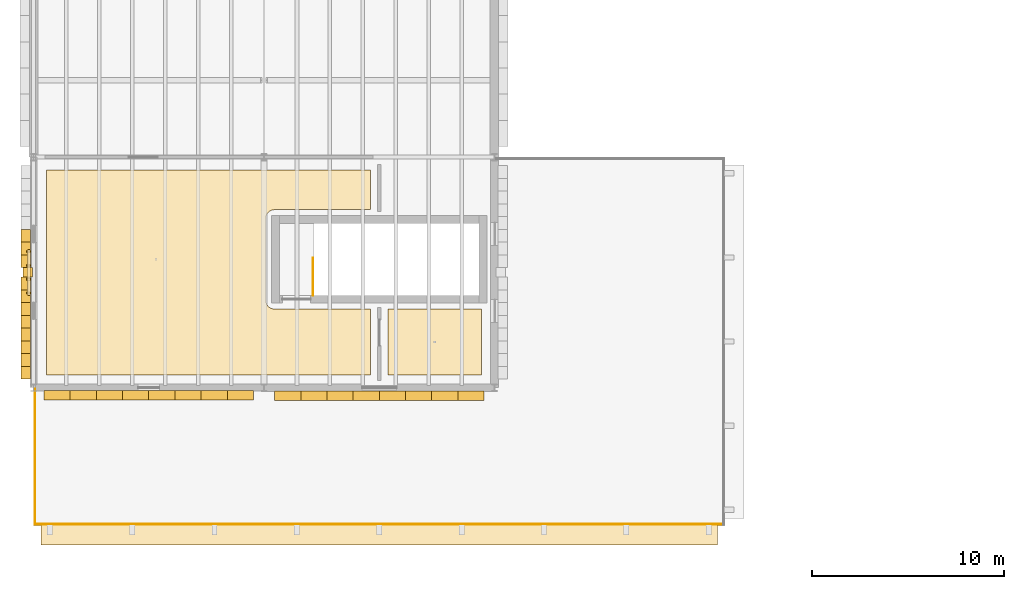
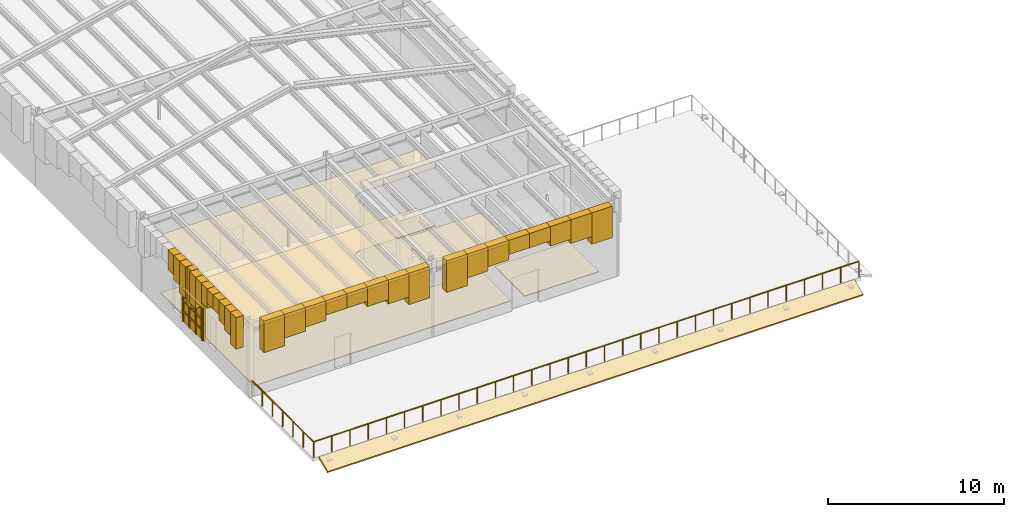
# One storey, part 72 of 100: 39 coverings, 3 railings, 1 shading device.
"""IFC4 building model written with IfcOpenShell, lengths in metres."""

from ifc_helpers import new_model, si_unit, direction, frame, origin, origin_2d, place, context, subcontext, project, spatial, polyline, rectangle, circle, outline, extrude, material, layer, layer_set, type_object, element, save


model = new_model("IFC4")

# Units and contexts
model_context = context("Model", 3, precision=1e-05, world=origin(), true_north=direction((0.0, 1.0)))
body_context = subcontext(model_context, "Body", "Model", "MODEL_VIEW")
ifc_project = project(units=[si_unit("LENGTHUNIT", "METRE"), si_unit("AREAUNIT", "SQUARE_METRE"), si_unit("VOLUMEUNIT", "CUBIC_METRE"), si_unit("PLANEANGLEUNIT", "RADIAN"), si_unit("MASSUNIT", "GRAM", prefix="KILO")], contexts=[model_context])

# Site, building, storey
site_placement = place(None, origin())
site = spatial("IfcSite", under=ifc_project, at=site_placement, CompositionType="ELEMENT")
building_placement = place(site_placement, origin())
building = spatial("IfcBuilding", under=site, at=building_placement, Name="Zlatogorsky Bluff Art Gallery", CompositionType="ELEMENT")
storey_placement = place(building_placement, frame((0.0, 0.0, 5.39990234375)))
storey = spatial("IfcBuildingStorey", under=building, at=storey_placement, Name="L01", CompositionType="ELEMENT", Elevation=5.39990234375)

# Coverings
ifc_material_1 = material(Name="Perforated Gypsum Acoustic Board", Category="gypsum")
ifc_layer_1 = layer(ifc_material_1, 0.0400390625)
ifc_layer_set_1 = layer_set([ifc_layer_1], Name="Acoustic Gallery Ceiling CLG-01")
covering_type_1 = type_object("IfcCoveringType", Name="Acoustic Gallery Ceiling CLG-01", PredefinedType="CEILING", material=ifc_layer_set_1)
covering_1_placement = place(storey_placement, frame((0.0, 0.0, 4.050048828125)))
element("IfcCovering", 1, at=covering_1_placement, inside=storey, type_object=covering_type_1, Name="Sculpture Terrace Gallery acoustic ceiling", PredefinedType="CEILING", context=body_context, shape_type="SweptSolid", body=[
    extrude(outline(polyline([(17.550048828125, 23.659912109375), (12.549072265625, 23.659912109375), (12.504638671875, 23.65771484375), (12.460693359375, 23.6513671875), (12.459716796875, 23.651123046875), (12.450439453125, 23.649169921875), (12.449462890625, 23.64892578125), (12.40625, 23.636962890625), (12.3642578125, 23.620849609375), (12.362548828125, 23.6201171875), (12.326904296875, 23.602294921875), (12.325927734375, 23.601806640625), (12.293701171875, 23.58203125), (12.26318359375, 23.559814453125), (12.26171875, 23.55859375), (12.224609375, 23.525390625), (12.19140625, 23.48828125), (12.190185546875, 23.48681640625), (12.16796875, 23.456298828125), (12.148193359375, 23.424072265625), (12.147705078125, 23.423095703125), (12.1298828125, 23.387451171875), (12.129150390625, 23.3857421875), (12.113037109375, 23.34375), (12.10107421875, 23.300537109375), (12.100830078125, 23.299560546875), (12.098876953125, 23.290283203125), (12.0986328125, 23.289306640625), (12.09228515625, 23.245361328125), (12.090087890625, 23.200927734375), (12.090087890625, 18.948974609375), (12.09228515625, 18.90478515625), (12.0986328125, 18.860595703125), (12.098876953125, 18.859619140625), (12.100830078125, 18.850341796875), (12.10107421875, 18.849609375), (12.113037109375, 18.80615234375), (12.129150390625, 18.764404296875), (12.1298828125, 18.762451171875), (12.147705078125, 18.726806640625), (12.148193359375, 18.725830078125), (12.16796875, 18.693603515625), (12.190185546875, 18.663330078125), (12.19140625, 18.661865234375), (12.224609375, 18.624755859375), (12.26171875, 18.591552734375), (12.26318359375, 18.59033203125), (12.293701171875, 18.568115234375), (12.325927734375, 18.54833984375), (12.326904296875, 18.5478515625), (12.362548828125, 18.530029296875), (12.3642578125, 18.529296875), (12.40625, 18.512939453125), (12.449462890625, 18.501220703125), (12.450439453125, 18.5009765625), (12.459716796875, 18.498779296875), (12.460693359375, 18.498779296875), (12.504638671875, 18.4921875), (12.549072265625, 18.489990234375), (17.550048828125, 18.489990234375), (17.550048828125, 15.070068359375), (0.669921875, 15.070068359375), (0.669921875, 25.72998046875), (17.550048828125, 25.72998046875), (17.550048828125, 23.659912109375)])), origin(), (0.0, 0.0, 1.0), 0.0400390625),
])
ifc_material_2 = material(Name="Honed Red Agra-Tone Quartzitic Sandstone", Category="masonry")
ifc_layer_2 = layer(ifc_material_2, 0.1201171875)
ifc_layer_set_2 = layer_set([ifc_layer_2], Name="Carved Sandstone Cladding CLD-02")
covering_type_2 = type_object("IfcCoveringType", Name="Carved Sandstone Cladding CLD-02", PredefinedType="CLADDING", material=ifc_layer_set_2)
covering_2_placement = place(storey_placement, frame((0.0, 0.0, 3.172607421875)))
element("IfcCovering", 2, at=covering_2_placement, inside=storey, type_object=covering_type_2, Name="Pointed Mughal arch voussoir spandrel WARCH-L01-S-00-02-A.1", PredefinedType="CLADDING", context=body_context, shape_type="SweptSolid", body=[
    extrude(outline(polyline([(0.550048828125, 13.760009765625), (1.91259765625, 13.760009765625), (1.91259765625, 14.25), (0.550048828125, 14.25), (0.550048828125, 13.760009765625)])), origin(), (0.0, 0.0, 1.0), 2.1875),
])
covering_3_placement = place(storey_placement, frame((0.0, 0.0, 3.703857421875)))
element("IfcCovering", 3, at=covering_3_placement, inside=storey, type_object=covering_type_2, Name="Pointed Mughal arch voussoir spandrel WARCH-L01-S-00-02-A.2", PredefinedType="CLADDING", context=body_context, shape_type="SweptSolid", body=[
    extrude(outline(polyline([(1.91259765625, 13.760009765625), (3.27490234375, 13.760009765625), (3.27490234375, 14.25), (1.91259765625, 14.25), (1.91259765625, 13.760009765625)])), origin(), (0.0, 0.0, 1.0), 1.65625),
])
covering_4_placement = place(storey_placement, frame((0.0, 0.0, 3.996826171875)))
element("IfcCovering", 4, at=covering_4_placement, inside=storey, type_object=covering_type_2, Name="Pointed Mughal arch voussoir spandrel WARCH-L01-S-00-02-A.3", PredefinedType="CLADDING", context=body_context, shape_type="SweptSolid", body=[
    extrude(outline(polyline([(3.27490234375, 13.760009765625), (4.637451171875, 13.760009765625), (4.637451171875, 14.25), (3.27490234375, 14.25), (3.27490234375, 13.760009765625)])), origin(), (0.0, 0.0, 1.0), 1.36328125),
])
covering_5_placement = place(storey_placement, frame((0.0, 0.0, 4.365478515625)))
element("IfcCovering", 5, at=covering_5_placement, inside=storey, type_object=covering_type_2, Name="Pointed Mughal arch voussoir spandrel WARCH-L01-S-00-02-A.4", PredefinedType="CLADDING", context=body_context, shape_type="SweptSolid", body=[
    extrude(outline(polyline([(4.637451171875, 13.760009765625), (6.0, 13.760009765625), (6.0, 14.25), (4.637451171875, 14.25), (4.637451171875, 13.760009765625)])), origin(), (0.0, 0.0, 1.0), 0.99462890625),
])
covering_6_placement = place(storey_placement, frame((0.0, 0.0, 4.365478515625)))
element("IfcCovering", 6, at=covering_6_placement, inside=storey, type_object=covering_type_2, Name="Pointed Mughal arch voussoir spandrel WARCH-L01-S-00-02-A.5", PredefinedType="CLADDING", context=body_context, shape_type="SweptSolid", body=[
    extrude(outline(polyline([(6.0, 13.760009765625), (7.362548828125, 13.760009765625), (7.362548828125, 14.25), (6.0, 14.25), (6.0, 13.760009765625)])), origin(), (0.0, 0.0, 1.0), 0.99462890625),
])
covering_7_placement = place(storey_placement, frame((0.0, 0.0, 3.996826171875)))
element("IfcCovering", 7, at=covering_7_placement, inside=storey, type_object=covering_type_2, Name="Pointed Mughal arch voussoir spandrel WARCH-L01-S-00-02-A.6", PredefinedType="CLADDING", context=body_context, shape_type="SweptSolid", body=[
    extrude(outline(polyline([(7.362548828125, 13.760009765625), (8.72509765625, 13.760009765625), (8.72509765625, 14.25), (7.362548828125, 14.25), (7.362548828125, 13.760009765625)])), origin(), (0.0, 0.0, 1.0), 1.36328125),
])
covering_8_placement = place(storey_placement, frame((0.0, 0.0, 3.703857421875)))
element("IfcCovering", 8, at=covering_8_placement, inside=storey, type_object=covering_type_2, Name="Pointed Mughal arch voussoir spandrel WARCH-L01-S-00-02-A.7", PredefinedType="CLADDING", context=body_context, shape_type="SweptSolid", body=[
    extrude(outline(polyline([(8.72509765625, 13.760009765625), (10.08740234375, 13.760009765625), (10.08740234375, 14.25), (8.72509765625, 14.25), (8.72509765625, 13.760009765625)])), origin(), (0.0, 0.0, 1.0), 1.65625),
])
covering_9_placement = place(storey_placement, frame((0.0, 0.0, 3.172607421875)))
element("IfcCovering", 9, at=covering_9_placement, inside=storey, type_object=covering_type_2, Name="Pointed Mughal arch voussoir spandrel WARCH-L01-S-00-02-A.8", PredefinedType="CLADDING", context=body_context, shape_type="SweptSolid", body=[
    extrude(outline(polyline([(10.08740234375, 13.760009765625), (11.449951171875, 13.760009765625), (11.449951171875, 14.25), (10.08740234375, 14.25), (10.08740234375, 13.760009765625)])), origin(), (0.0, 0.0, 1.0), 2.1875),
])
covering_10_placement = place(storey_placement, frame((0.0, 0.0, 2.72998046875)))
element("IfcCovering", 10, at=covering_10_placement, inside=storey, type_object=covering_type_2, Name="Mughal blind-arch sandstone pilaster L01.W.0.2", PredefinedType="CLADDING", context=body_context, shape_type="SweptSolid", body=[
    extrude(outline(polyline([(-0.5400390625, 20.159912109375), (-0.06005859375, 20.159912109375), (-0.06005859375, 20.639892578125), (-0.5400390625, 20.639892578125), (-0.5400390625, 20.159912109375)])), origin(), (0.0, 0.0, 1.0), 2.630126953125),
])
covering_11_placement = place(storey_placement, frame((0.0, 0.0, 3.172607421875)))
element("IfcCovering", 11, at=covering_11_placement, inside=storey, type_object=covering_type_2, Name="Pointed Mughal arch voussoir spandrel WARCH-L01-W-00-02-A.1", PredefinedType="CLADDING", context=body_context, shape_type="SweptSolid", body=[
    extrude(outline(polyline([(-0.639892578125, 14.85009765625), (-0.639892578125, 15.512451171875), (-0.14990234375, 15.512451171875), (-0.14990234375, 14.85009765625), (-0.639892578125, 14.85009765625)])), origin(), (0.0, 0.0, 1.0), 2.1875),
])
covering_12_placement = place(storey_placement, frame((0.0, 0.0, 3.703857421875)))
element("IfcCovering", 12, at=covering_12_placement, inside=storey, type_object=covering_type_2, Name="Pointed Mughal arch voussoir spandrel WARCH-L01-W-00-02-A.2", PredefinedType="CLADDING", context=body_context, shape_type="SweptSolid", body=[
    extrude(outline(polyline([(-0.639892578125, 15.512451171875), (-0.639892578125, 16.175048828125), (-0.14990234375, 16.175048828125), (-0.14990234375, 15.512451171875), (-0.639892578125, 15.512451171875)])), origin(), (0.0, 0.0, 1.0), 1.65625),
])
covering_13_placement = place(storey_placement, frame((0.0, 0.0, 3.996826171875)))
element("IfcCovering", 13, at=covering_13_placement, inside=storey, type_object=covering_type_2, Name="Pointed Mughal arch voussoir spandrel WARCH-L01-W-00-02-A.3", PredefinedType="CLADDING", context=body_context, shape_type="SweptSolid", body=[
    extrude(outline(polyline([(-0.639892578125, 16.175048828125), (-0.639892578125, 16.83740234375), (-0.14990234375, 16.83740234375), (-0.14990234375, 16.175048828125), (-0.639892578125, 16.175048828125)])), origin(), (0.0, 0.0, 1.0), 1.36328125),
])
covering_14_placement = place(storey_placement, frame((0.0, 0.0, 4.365478515625)))
element("IfcCovering", 14, at=covering_14_placement, inside=storey, type_object=covering_type_2, Name="Pointed Mughal arch voussoir spandrel WARCH-L01-W-00-02-A.4", PredefinedType="CLADDING", context=body_context, shape_type="SweptSolid", body=[
    extrude(outline(polyline([(-0.639892578125, 16.83740234375), (-0.639892578125, 17.5), (-0.14990234375, 17.5), (-0.14990234375, 16.83740234375), (-0.639892578125, 16.83740234375)])), origin(), (0.0, 0.0, 1.0), 0.99462890625),
])
covering_15_placement = place(storey_placement, frame((0.0, 0.0, 4.365478515625)))
element("IfcCovering", 15, at=covering_15_placement, inside=storey, type_object=covering_type_2, Name="Pointed Mughal arch voussoir spandrel WARCH-L01-W-00-02-A.5", PredefinedType="CLADDING", context=body_context, shape_type="SweptSolid", body=[
    extrude(outline(polyline([(-0.639892578125, 17.5), (-0.639892578125, 18.16259765625), (-0.14990234375, 18.16259765625), (-0.14990234375, 17.5), (-0.639892578125, 17.5)])), origin(), (0.0, 0.0, 1.0), 0.99462890625),
])
covering_16_placement = place(storey_placement, frame((0.0, 0.0, 3.996826171875)))
element("IfcCovering", 16, at=covering_16_placement, inside=storey, type_object=covering_type_2, Name="Pointed Mughal arch voussoir spandrel WARCH-L01-W-00-02-A.6", PredefinedType="CLADDING", context=body_context, shape_type="SweptSolid", body=[
    extrude(outline(polyline([(-0.639892578125, 18.16259765625), (-0.639892578125, 18.824951171875), (-0.14990234375, 18.824951171875), (-0.14990234375, 18.16259765625), (-0.639892578125, 18.16259765625)])), origin(), (0.0, 0.0, 1.0), 1.36328125),
])
covering_17_placement = place(storey_placement, frame((0.0, 0.0, 3.703857421875)))
element("IfcCovering", 17, at=covering_17_placement, inside=storey, type_object=covering_type_2, Name="Pointed Mughal arch voussoir spandrel WARCH-L01-W-00-02-A.7", PredefinedType="CLADDING", context=body_context, shape_type="SweptSolid", body=[
    extrude(outline(polyline([(-0.639892578125, 18.824951171875), (-0.639892578125, 19.487548828125), (-0.14990234375, 19.487548828125), (-0.14990234375, 18.824951171875), (-0.639892578125, 18.824951171875)])), origin(), (0.0, 0.0, 1.0), 1.65625),
])
covering_18_placement = place(storey_placement, frame((0.0, 0.0, 3.172607421875)))
element("IfcCovering", 18, at=covering_18_placement, inside=storey, type_object=covering_type_2, Name="Pointed Mughal arch voussoir spandrel WARCH-L01-W-00-02-A.8", PredefinedType="CLADDING", context=body_context, shape_type="SweptSolid", body=[
    extrude(outline(polyline([(-0.639892578125, 19.487548828125), (-0.639892578125, 20.14990234375), (-0.14990234375, 20.14990234375), (-0.14990234375, 19.487548828125), (-0.639892578125, 19.487548828125)])), origin(), (0.0, 0.0, 1.0), 2.1875),
])
covering_19_placement = place(storey_placement, frame((0.0, 0.0, 3.172607421875)))
element("IfcCovering", 19, at=covering_19_placement, inside=storey, type_object=covering_type_2, Name="Pointed Mughal arch voussoir spandrel WARCH-L01-W-00-02-B.1", PredefinedType="CLADDING", context=body_context, shape_type="SweptSolid", body=[
    extrude(outline(polyline([(-0.639892578125, 20.64990234375), (-0.639892578125, 21.3125), (-0.14990234375, 21.3125), (-0.14990234375, 20.64990234375), (-0.639892578125, 20.64990234375)])), origin(), (0.0, 0.0, 1.0), 2.1875),
])
covering_20_placement = place(storey_placement, frame((0.0, 0.0, 3.703857421875)))
element("IfcCovering", 20, at=covering_20_placement, inside=storey, type_object=covering_type_2, Name="Pointed Mughal arch voussoir spandrel WARCH-L01-W-00-02-B.2", PredefinedType="CLADDING", context=body_context, shape_type="SweptSolid", body=[
    extrude(outline(polyline([(-0.639892578125, 21.3125), (-0.639892578125, 21.97509765625), (-0.14990234375, 21.97509765625), (-0.14990234375, 21.3125), (-0.639892578125, 21.3125)])), origin(), (0.0, 0.0, 1.0), 1.65625),
])
covering_21_placement = place(storey_placement, frame((0.0, 0.0, 3.996826171875)))
element("IfcCovering", 21, at=covering_21_placement, inside=storey, type_object=covering_type_2, Name="Pointed Mughal arch voussoir spandrel WARCH-L01-W-00-02-B.3", PredefinedType="CLADDING", context=body_context, shape_type="SweptSolid", body=[
    extrude(outline(polyline([(-0.639892578125, 21.97509765625), (-0.639892578125, 22.637451171875), (-0.14990234375, 22.637451171875), (-0.14990234375, 21.97509765625), (-0.639892578125, 21.97509765625)])), origin(), (0.0, 0.0, 1.0), 1.36328125),
])
covering_22_placement = place(storey_placement, frame((0.0, 0.0, 0.9501953125)))
element("IfcCovering", 22, at=covering_22_placement, inside=storey, type_object=covering_type_2, Name="Pierced sandstone jali lattice bar L01.W.0.2", PredefinedType="CLADDING", context=body_context, shape_type="SweptSolid", body=[
    extrude(outline(polyline([(-0.340087890625, 19.27490234375), (-0.340087890625, 19.364990234375), (-0.14990234375, 19.364990234375), (-0.14990234375, 19.27490234375), (-0.340087890625, 19.27490234375)])), origin(), (0.0, 0.0, 1.0), 3.0),
])
covering_23_placement = place(storey_placement, frame((0.0, 0.0, 0.9501953125)))
element("IfcCovering", 23, at=covering_23_placement, inside=storey, type_object=covering_type_2, Name="Pierced sandstone jali lattice bar L01.W.0.2", PredefinedType="CLADDING", context=body_context, shape_type="SweptSolid", body=[
    extrude(outline(polyline([(-0.340087890625, 19.9951171875), (-0.340087890625, 20.0849609375), (-0.14990234375, 20.0849609375), (-0.14990234375, 19.9951171875), (-0.340087890625, 19.9951171875)])), origin(), (0.0, 0.0, 1.0), 3.0),
])
covering_24_placement = place(storey_placement, frame((0.0, 0.0, 0.9501953125)))
element("IfcCovering", 24, at=covering_24_placement, inside=storey, type_object=covering_type_2, Name="Pierced sandstone jali lattice bar L01.W.0.2", PredefinedType="CLADDING", context=body_context, shape_type="SweptSolid", body=[
    extrude(outline(polyline([(-0.340087890625, 20.715087890625), (-0.340087890625, 20.804931640625), (-0.14990234375, 20.804931640625), (-0.14990234375, 20.715087890625), (-0.340087890625, 20.715087890625)])), origin(), (0.0, 0.0, 1.0), 3.0),
])
covering_25_placement = place(storey_placement, frame((0.0, 0.0, 0.9501953125)))
element("IfcCovering", 25, at=covering_25_placement, inside=storey, type_object=covering_type_2, Name="Pierced sandstone jali lattice bar L01.W.0.2", PredefinedType="CLADDING", context=body_context, shape_type="SweptSolid", body=[
    extrude(outline(polyline([(-0.340087890625, 21.43505859375), (-0.340087890625, 21.52490234375), (-0.14990234375, 21.52490234375), (-0.14990234375, 21.43505859375), (-0.340087890625, 21.43505859375)])), origin(), (0.0, 0.0, 1.0), 3.0),
])
for number, where, name in (
    (26, (0.0, 0.0, 1.66015625), "Pierced sandstone jali lattice transom L01.W.0.2"),
    (27, (0.0, 0.0, 2.41015625), "Pierced sandstone jali lattice transom L01.W.0.2"),
    (28, (0.0, 0.0, 3.16015625), "Pierced sandstone jali lattice transom L01.W.0.2"),
):
    element("IfcCovering", number, at=place(storey_placement, frame(where)), inside=storey, type_object=covering_type_2, Name=name, PredefinedType="CLADDING", context=body_context, shape_type="SweptSolid", body=[
        extrude(outline(polyline([(-0.340087890625, 19.199951171875), (-0.340087890625, 21.60009765625), (-0.14990234375, 21.60009765625), (-0.14990234375, 19.199951171875), (-0.340087890625, 19.199951171875)])), origin(), (0.0, 0.0, 1.0), 0.079833984375),
    ])
covering_26_placement = place(storey_placement, frame((0.0, 0.0, 3.172607421875)))
element("IfcCovering", 29, at=covering_26_placement, inside=storey, type_object=covering_type_2, Name="Pointed Mughal arch voussoir spandrel WARCH-L01-S-01-02-A.1", PredefinedType="CLADDING", context=body_context, shape_type="SweptSolid", body=[
    extrude(outline(polyline([(12.550048828125, 13.739990234375), (13.91259765625, 13.739990234375), (13.91259765625, 14.22998046875), (12.550048828125, 14.22998046875), (12.550048828125, 13.739990234375)])), origin(), (0.0, 0.0, 1.0), 2.1875),
])
covering_27_placement = place(storey_placement, frame((0.0, 0.0, 3.703857421875)))
element("IfcCovering", 30, at=covering_27_placement, inside=storey, type_object=covering_type_2, Name="Pointed Mughal arch voussoir spandrel WARCH-L01-S-01-02-A.2", PredefinedType="CLADDING", context=body_context, shape_type="SweptSolid", body=[
    extrude(outline(polyline([(13.91259765625, 13.739990234375), (15.27490234375, 13.739990234375), (15.27490234375, 14.22998046875), (13.91259765625, 14.22998046875), (13.91259765625, 13.739990234375)])), origin(), (0.0, 0.0, 1.0), 1.65625),
])
covering_28_placement = place(storey_placement, frame((0.0, 0.0, 3.996826171875)))
element("IfcCovering", 31, at=covering_28_placement, inside=storey, type_object=covering_type_2, Name="Pointed Mughal arch voussoir spandrel WARCH-L01-S-01-02-A.3", PredefinedType="CLADDING", context=body_context, shape_type="SweptSolid", body=[
    extrude(outline(polyline([(15.27490234375, 13.739990234375), (16.637451171875, 13.739990234375), (16.637451171875, 14.22998046875), (15.27490234375, 14.22998046875), (15.27490234375, 13.739990234375)])), origin(), (0.0, 0.0, 1.0), 1.36328125),
])
covering_29_placement = place(storey_placement, frame((0.0, 0.0, 4.365478515625)))
element("IfcCovering", 32, at=covering_29_placement, inside=storey, type_object=covering_type_2, Name="Pointed Mughal arch voussoir spandrel WARCH-L01-S-01-02-A.4", PredefinedType="CLADDING", context=body_context, shape_type="SweptSolid", body=[
    extrude(outline(polyline([(16.637451171875, 13.739990234375), (18.0, 13.739990234375), (18.0, 14.22998046875), (16.637451171875, 14.22998046875), (16.637451171875, 13.739990234375)])), origin(), (0.0, 0.0, 1.0), 0.99462890625),
])
covering_30_placement = place(storey_placement, frame((0.0, 0.0, 4.365478515625)))
element("IfcCovering", 33, at=covering_30_placement, inside=storey, type_object=covering_type_2, Name="Pointed Mughal arch voussoir spandrel WARCH-L01-S-01-02-A.5", PredefinedType="CLADDING", context=body_context, shape_type="SweptSolid", body=[
    extrude(outline(polyline([(18.0, 13.739990234375), (19.362548828125, 13.739990234375), (19.362548828125, 14.22998046875), (18.0, 14.22998046875), (18.0, 13.739990234375)])), origin(), (0.0, 0.0, 1.0), 0.99462890625),
])
covering_31_placement = place(storey_placement, frame((0.0, 0.0, 3.996826171875)))
element("IfcCovering", 34, at=covering_31_placement, inside=storey, type_object=covering_type_2, Name="Pointed Mughal arch voussoir spandrel WARCH-L01-S-01-02-A.6", PredefinedType="CLADDING", context=body_context, shape_type="SweptSolid", body=[
    extrude(outline(polyline([(19.362548828125, 13.739990234375), (20.72509765625, 13.739990234375), (20.72509765625, 14.22998046875), (19.362548828125, 14.22998046875), (19.362548828125, 13.739990234375)])), origin(), (0.0, 0.0, 1.0), 1.36328125),
])
covering_32_placement = place(storey_placement, frame((0.0, 0.0, 3.703857421875)))
element("IfcCovering", 35, at=covering_32_placement, inside=storey, type_object=covering_type_2, Name="Pointed Mughal arch voussoir spandrel WARCH-L01-S-01-02-A.7", PredefinedType="CLADDING", context=body_context, shape_type="SweptSolid", body=[
    extrude(outline(polyline([(20.72509765625, 13.739990234375), (22.08740234375, 13.739990234375), (22.08740234375, 14.22998046875), (20.72509765625, 14.22998046875), (20.72509765625, 13.739990234375)])), origin(), (0.0, 0.0, 1.0), 1.65625),
])
covering_33_placement = place(storey_placement, frame((0.0, 0.0, 3.172607421875)))
element("IfcCovering", 36, at=covering_33_placement, inside=storey, type_object=covering_type_2, Name="Pointed Mughal arch voussoir spandrel WARCH-L01-S-01-02-A.8", PredefinedType="CLADDING", context=body_context, shape_type="SweptSolid", body=[
    extrude(outline(polyline([(22.08740234375, 13.739990234375), (23.449951171875, 13.739990234375), (23.449951171875, 14.22998046875), (22.08740234375, 14.22998046875), (22.08740234375, 13.739990234375)])), origin(), (0.0, 0.0, 1.0), 2.1875),
])
covering_34_placement = place(storey_placement, frame((35.60009765625, 7.239990234375, -0.039794921875), z_axis=(0.0, -0.380872241927, 0.924627673893), x_axis=(-1.0, 0.0, 0.0)))
element("IfcCovering", 37, at=covering_34_placement, inside=storey, type_object=covering_type_2, Name="Projecting sloped Mughal chhajja stone eave CHJ-SW-S-L01", PredefinedType="CLADDING", context=body_context, shape_type="SweptSolid", body=[
    extrude(outline(polyline([(0.0, 0.0), (35.2001953125, 0.0), (35.2001953125, 1.103167858858142), (0.0, 1.103167858858142), (0.0, 0.0)])), origin(), (0.0, 0.0, -1.0), 0.139892578125),
])

# Railings
ifc_material_3 = material(Name="Architectural Bronze and Laminated Glass", Category="glass")
railing_type = type_object("IfcRailingType", Name="Gallery Guard Rail 1100mm", PredefinedType="GUARDRAIL", material=ifc_material_3)
railing_1_placement = place(storey_placement, frame((35.919921875, 7.280029296875, 0.0)))
element("IfcRailing", 38, at=railing_1_placement, inside=storey, type_object=railing_type, Name="Sculpture terrace balustrade TERR-L01-01.4", PredefinedType="GUARDRAIL", context=body_context, shape_type="SweptSolid", body=[
    extrude(circle(Radius=0.02392578125, at=origin_2d()), frame((0.0, 0.0, 1.076171875), z_axis=(-1.0, 0.0, 0.0), x_axis=(0.0, -1.0, 0.0)), (0.0, 0.0, 1.0), 35.83984375),
    extrude(circle(Radius=0.02099609375, at=origin_2d()), origin(), (0.0, 0.0, 1.0), 1.052001953125),
    extrude(circle(Radius=0.02099609375, at=origin_2d()), frame((-1.194580078125, 0.0, 0.0)), (0.0, 0.0, 1.0), 1.052001953125),
    extrude(circle(Radius=0.02099609375, at=origin_2d()), frame((-2.389404296875, 0.0, 0.0)), (0.0, 0.0, 1.0), 1.052001953125),
    extrude(circle(Radius=0.02099609375, at=origin_2d()), frame((-3.583984375, 0.0, 0.0)), (0.0, 0.0, 1.0), 1.052001953125),
    extrude(circle(Radius=0.02099609375, at=origin_2d()), frame((-4.778564453125, 0.0, 0.0)), (0.0, 0.0, 1.0), 1.052001953125),
    extrude(circle(Radius=0.02099609375, at=origin_2d()), frame((-5.973388671875, 0.0, 0.0)), (0.0, 0.0, 1.0), 1.052001953125),
    extrude(circle(Radius=0.02099609375, at=origin_2d()), frame((-7.16796875, 0.0, 0.0)), (0.0, 0.0, 1.0), 1.052001953125),
    extrude(circle(Radius=0.02099609375, at=origin_2d()), frame((-8.362548828125, 0.0, 0.0)), (0.0, 0.0, 1.0), 1.052001953125),
    extrude(circle(Radius=0.02099609375, at=origin_2d()), frame((-9.557373046875, 0.0, 0.0)), (0.0, 0.0, 1.0), 1.052001953125),
    extrude(circle(Radius=0.02099609375, at=origin_2d()), frame((-10.751953125, 0.0, 0.0)), (0.0, 0.0, 1.0), 1.052001953125),
    extrude(circle(Radius=0.02099609375, at=origin_2d()), frame((-11.946533203125, 0.0, 0.0)), (0.0, 0.0, 1.0), 1.052001953125),
    extrude(circle(Radius=0.02099609375, at=origin_2d()), frame((-13.141357421875, 0.0, 0.0)), (0.0, 0.0, 1.0), 1.052001953125),
    extrude(circle(Radius=0.02099609375, at=origin_2d()), frame((-14.3359375, 0.0, 0.0)), (0.0, 0.0, 1.0), 1.052001953125),
    extrude(circle(Radius=0.02099609375, at=origin_2d()), frame((-15.530517578125, 0.0, 0.0)), (0.0, 0.0, 1.0), 1.052001953125),
    extrude(circle(Radius=0.02099609375, at=origin_2d()), frame((-16.725341796875, 0.0, 0.0)), (0.0, 0.0, 1.0), 1.052001953125),
    extrude(circle(Radius=0.02099609375, at=origin_2d()), frame((-17.919921875, 0.0, 0.0)), (0.0, 0.0, 1.0), 1.052001953125),
    extrude(circle(Radius=0.02099609375, at=origin_2d()), frame((-19.114501953125, 0.0, 0.0)), (0.0, 0.0, 1.0), 1.052001953125),
    extrude(circle(Radius=0.02099609375, at=origin_2d()), frame((-20.309326171875, 0.0, 0.0)), (0.0, 0.0, 1.0), 1.052001953125),
    extrude(circle(Radius=0.02099609375, at=origin_2d()), frame((-21.50390625, 0.0, 0.0)), (0.0, 0.0, 1.0), 1.052001953125),
    extrude(circle(Radius=0.02099609375, at=origin_2d()), frame((-22.698486328125, 0.0, 0.0)), (0.0, 0.0, 1.0), 1.052001953125),
    extrude(circle(Radius=0.02099609375, at=origin_2d()), frame((-23.893310546875, 0.0, 0.0)), (0.0, 0.0, 1.0), 1.052001953125),
    extrude(circle(Radius=0.02099609375, at=origin_2d()), frame((-25.087890625, 0.0, 0.0)), (0.0, 0.0, 1.0), 1.052001953125),
    extrude(circle(Radius=0.02099609375, at=origin_2d()), frame((-26.282470703125, 0.0, 0.0)), (0.0, 0.0, 1.0), 1.052001953125),
    extrude(circle(Radius=0.02099609375, at=origin_2d()), frame((-27.477294921875, 0.0, 0.0)), (0.0, 0.0, 1.0), 1.052001953125),
    extrude(circle(Radius=0.02099609375, at=origin_2d()), frame((-28.671875, 0.0, 0.0)), (0.0, 0.0, 1.0), 1.052001953125),
    extrude(circle(Radius=0.02099609375, at=origin_2d()), frame((-29.866455078125, 0.0, 0.0)), (0.0, 0.0, 1.0), 1.052001953125),
    extrude(circle(Radius=0.02099609375, at=origin_2d()), frame((-31.061279296875, 0.0, 0.0)), (0.0, 0.0, 1.0), 1.052001953125),
    extrude(circle(Radius=0.02099609375, at=origin_2d()), frame((-32.255859375, 0.0, 0.0)), (0.0, 0.0, 1.0), 1.052001953125),
    extrude(circle(Radius=0.02099609375, at=origin_2d()), frame((-33.450439453125, 0.0, 0.0)), (0.0, 0.0, 1.0), 1.052001953125),
    extrude(circle(Radius=0.02099609375, at=origin_2d()), frame((-34.645263671875, 0.0, 0.0)), (0.0, 0.0, 1.0), 1.052001953125),
    extrude(circle(Radius=0.02099609375, at=origin_2d()), frame((-35.83984375, 0.0, 0.0)), (0.0, 0.0, 1.0), 1.052001953125),
])
railing_2_placement = place(storey_placement, frame((0.080078125, 7.280029296875, 0.0)))
element("IfcRailing", 39, at=railing_2_placement, inside=storey, type_object=railing_type, Name="Sculpture terrace balustrade TERR-L01-01.5", PredefinedType="GUARDRAIL", context=body_context, shape_type="SweptSolid", body=[
    extrude(circle(Radius=0.02392578125, at=origin_2d()), frame((0.0, 0.0, 1.076171875), z_axis=(0.0, 1.0, 0.0), x_axis=(-1.0, 0.0, 0.0)), (0.0, 0.0, 1.0), 7.0400390625),
    extrude(circle(Radius=0.02099609375, at=origin_2d()), origin(), (0.0, 0.0, 1.0), 1.052001953125),
    extrude(circle(Radius=0.02099609375, at=origin_2d()), frame((0.0, 1.17333984375, 0.0)), (0.0, 0.0, 1.0), 1.052001953125),
    extrude(circle(Radius=0.02099609375, at=origin_2d()), frame((0.0, 2.3466796875, 0.0)), (0.0, 0.0, 1.0), 1.052001953125),
    extrude(circle(Radius=0.02099609375, at=origin_2d()), frame((0.0, 3.52001953125, 0.0)), (0.0, 0.0, 1.0), 1.052001953125),
    extrude(circle(Radius=0.02099609375, at=origin_2d()), frame((0.0, 4.693359375, 0.0)), (0.0, 0.0, 1.0), 1.052001953125),
    extrude(circle(Radius=0.02099609375, at=origin_2d()), frame((0.0, 5.86669921875, 0.0)), (0.0, 0.0, 1.0), 1.052001953125),
    extrude(circle(Radius=0.02099609375, at=origin_2d()), frame((0.0, 7.0400390625, 0.0)), (0.0, 0.0, 1.0), 1.052001953125),
])
railing_3_placement = place(storey_placement, frame((14.550048828125, 19.199951171875, 0.0)))
element("IfcRailing", 40, at=railing_3_placement, inside=storey, type_object=railing_type, Name="L01 ST-09 top well guard 1", PredefinedType="GUARDRAIL", context=body_context, shape_type="SweptSolid", body=[
    extrude(circle(Radius=0.02392578125, at=origin_2d()), frame((0.0, 0.0, 1.076171875), z_axis=(0.0, 1.0, 0.0), x_axis=(-1.0, 0.0, 0.0)), (0.0, 0.0, 1.0), 1.949951171875),
    extrude(circle(Radius=0.02099609375, at=origin_2d()), origin(), (0.0, 0.0, 1.0), 1.052001953125),
    extrude(circle(Radius=0.02099609375, at=origin_2d()), frame((0.0, 0.97509765625, 0.0)), (0.0, 0.0, 1.0), 1.052001953125),
    extrude(circle(Radius=0.02099609375, at=origin_2d()), frame((0.0, 1.949951171875, 0.0)), (0.0, 0.0, 1.0), 1.052001953125),
])

# Shading device
ifc_material_4 = material(Name="CNC-Pierced Red Quartzitic Sandstone Jali", Category="masonry")
shading_device_type = type_object("IfcShadingDeviceType", Name="Pierced Stone Jali Screen JAL-03", PredefinedType="JALOUSIE", material=ifc_material_4)
shading_device_placement = place(storey_placement, frame((-0.219970703125, 20.39990234375, 0.9501953125), z_axis=(0.0, 0.0, 1.0), x_axis=(1.0, 0.0, 0.0)))
element("IfcShadingDevice", 41, at=shading_device_placement, inside=storey, type_object=shading_device_type, Name="Pierced stone jali screen JAL-03", PredefinedType="JALOUSIE", context=body_context, shape_type="SweptSolid", body=[
    extrude(rectangle(XDim=0.1201171875, YDim=2.39990234375, at=origin_2d()), origin(), (0.0, 0.0, 1.0), 3.0),
])

# Coverings
ifc_material_5 = material(Name="Polished Ural Marble Terrazzo", Category="masonry")
ifc_layer_3 = layer(ifc_material_5, 0.050048828125)
ifc_layer_set_3 = layer_set([ifc_layer_3], Name="Terrazzo Gallery Flooring FLR-01")
covering_type_3 = type_object("IfcCoveringType", Name="Terrazzo Gallery Flooring FLR-01", PredefinedType="FLOORING", material=ifc_layer_set_3)
covering_35_placement = place(storey_placement, origin())
element("IfcCovering", 42, at=covering_35_placement, inside=storey, type_object=covering_type_3, Name="Sculpture Terrace Gallery terrazzo floor finish", PredefinedType="FLOORING", context=body_context, shape_type="SweptSolid", body=[
    extrude(outline(polyline([(17.550048828125, 23.659912109375), (12.549072265625, 23.659912109375), (12.504638671875, 23.65771484375), (12.460693359375, 23.6513671875), (12.459716796875, 23.651123046875), (12.450439453125, 23.649169921875), (12.449462890625, 23.64892578125), (12.40625, 23.636962890625), (12.3642578125, 23.620849609375), (12.362548828125, 23.6201171875), (12.326904296875, 23.602294921875), (12.325927734375, 23.601806640625), (12.293701171875, 23.58203125), (12.26318359375, 23.559814453125), (12.26171875, 23.55859375), (12.224609375, 23.525390625), (12.19140625, 23.48828125), (12.190185546875, 23.48681640625), (12.16796875, 23.456298828125), (12.148193359375, 23.424072265625), (12.147705078125, 23.423095703125), (12.1298828125, 23.387451171875), (12.129150390625, 23.3857421875), (12.113037109375, 23.34375), (12.10107421875, 23.300537109375), (12.100830078125, 23.299560546875), (12.098876953125, 23.290283203125), (12.0986328125, 23.289306640625), (12.09228515625, 23.245361328125), (12.090087890625, 23.200927734375), (12.090087890625, 18.948974609375), (12.09228515625, 18.90478515625), (12.0986328125, 18.860595703125), (12.098876953125, 18.859619140625), (12.100830078125, 18.850341796875), (12.10107421875, 18.849609375), (12.113037109375, 18.80615234375), (12.129150390625, 18.764404296875), (12.1298828125, 18.762451171875), (12.147705078125, 18.726806640625), (12.148193359375, 18.725830078125), (12.16796875, 18.693603515625), (12.190185546875, 18.663330078125), (12.19140625, 18.661865234375), (12.224609375, 18.624755859375), (12.26171875, 18.591552734375), (12.26318359375, 18.59033203125), (12.293701171875, 18.568115234375), (12.325927734375, 18.54833984375), (12.326904296875, 18.5478515625), (12.362548828125, 18.530029296875), (12.3642578125, 18.529296875), (12.40625, 18.512939453125), (12.449462890625, 18.501220703125), (12.450439453125, 18.5009765625), (12.459716796875, 18.498779296875), (12.460693359375, 18.498779296875), (12.504638671875, 18.4921875), (12.549072265625, 18.489990234375), (17.550048828125, 18.489990234375), (17.550048828125, 15.070068359375), (0.669921875, 15.070068359375), (0.669921875, 25.72998046875), (17.550048828125, 25.72998046875), (17.550048828125, 23.659912109375)])), origin(), (0.0, 0.0, 1.0), 0.050048828125),
])
covering_36_placement = place(storey_placement, origin())
element("IfcCovering", 43, at=covering_36_placement, inside=storey, type_object=covering_type_3, Name="Sculpture Terrace Gallery terrazzo floor finish", PredefinedType="FLOORING", context=body_context, shape_type="SweptSolid", body=[
    extrude(outline(polyline([(23.330078125, 15.070068359375), (18.449951171875, 15.070068359375), (18.449951171875, 18.489990234375), (23.330078125, 18.489990234375), (23.330078125, 15.070068359375)])), origin(), (0.0, 0.0, 1.0), 0.050048828125),
])

save(model, "model.ifc")
